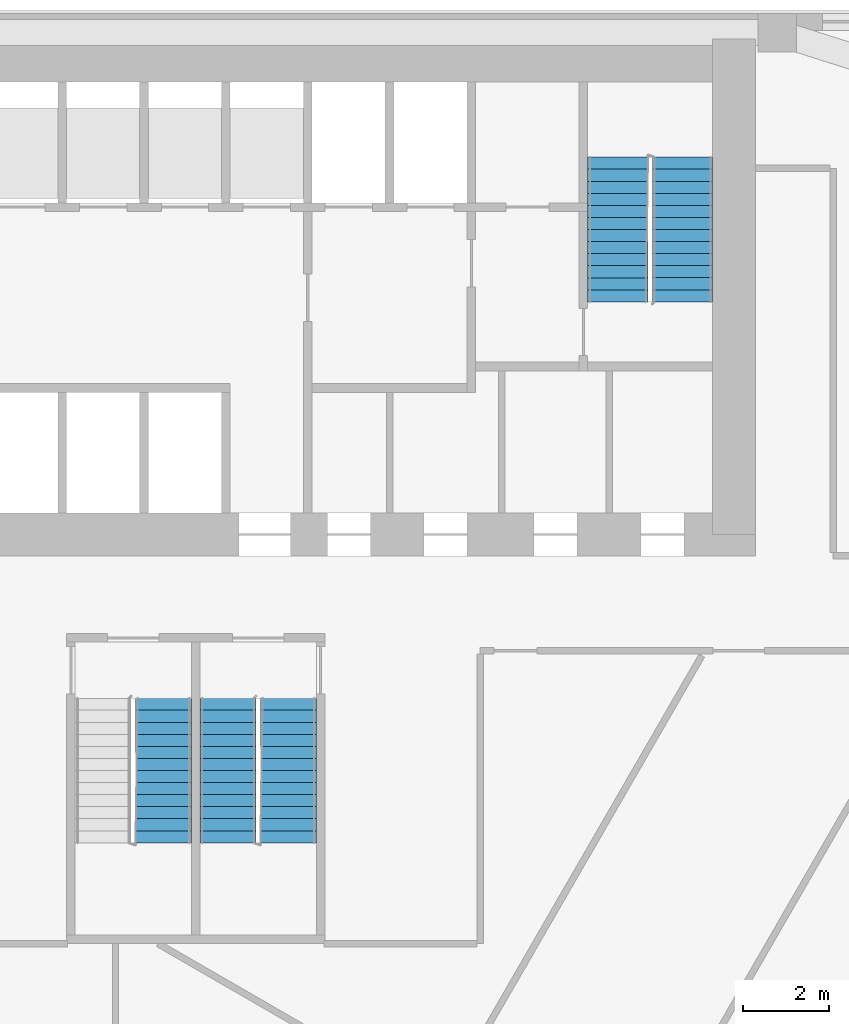
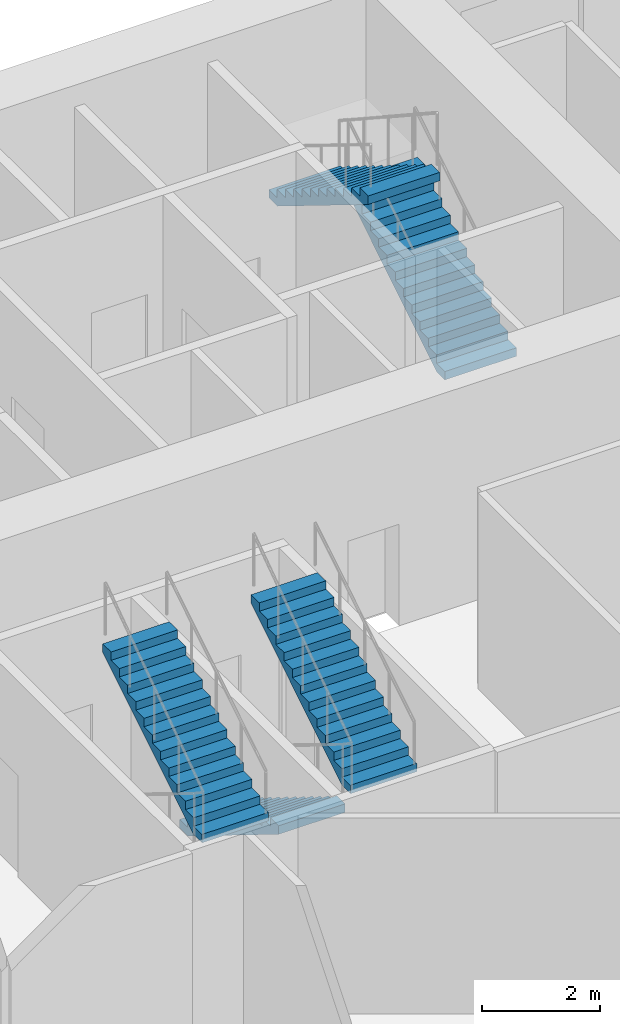
# One storey, part 7 of 9: 5 stair flights, 3 elements without a shape of their own.
"""IFC4 building model written with IfcOpenShell, lengths in metres."""

from ifc_helpers import new_model, si_unit, direction, frame, origin, place, context, subcontext, project, spatial, polyline, outline, extrude, material, type_object, element, aggregate, save


model = new_model("IFC4")

# Units and contexts
model_context = context("Model", 3, precision=1e-05, world=origin(), true_north=direction((0.0, 1.0)))
body_context = subcontext(model_context, "Body", "Model", "MODEL_VIEW")
ifc_project = project(units=[si_unit("LENGTHUNIT", "METRE"), si_unit("AREAUNIT", "SQUARE_METRE"), si_unit("VOLUMEUNIT", "CUBIC_METRE"), si_unit("PLANEANGLEUNIT", "RADIAN"), si_unit("MASSUNIT", "GRAM", prefix="KILO")], contexts=[model_context])

# Site, building, storey
site_placement = place(None, origin())
site = spatial("IfcSite", under=ifc_project, at=site_placement, CompositionType="ELEMENT")
building_placement = place(site_placement, origin())
building = spatial("IfcBuilding", under=site, at=building_placement, Name="Altiplano Prism Tower", CompositionType="ELEMENT")
storey_placement = place(building_placement, frame((0.0, 0.0, 18.0)))
storey = spatial("IfcBuildingStorey", under=building, at=storey_placement, Name="L03", CompositionType="ELEMENT", Elevation=18.0)

# Stair, stair flights
ifc_material = material(Name="Concrete C40/50", Category="concrete")
stair_type_1 = type_object("IfcStairType", Name="Exit stair 1400", PredefinedType="HALF_TURN_STAIR", material=ifc_material)
stair_1_placement = place(storey_placement, origin())
stair_1 = element("IfcStair", 1, at=stair_1_placement, inside=storey, type_object=stair_type_1, Name="L03 Exit Stair 2", PredefinedType="HALF_TURN_STAIR")
stair_flight_type = type_object("IfcStairFlightType", Name="Stair flight concrete 150", PredefinedType="STRAIGHT", material=ifc_material)
stair_flight_1_placement = place(storey_placement, frame((96.300048828125, 98.300048828125, 0.0), z_axis=(0.0, 0.0, 1.0), x_axis=(0.0, 1.0, 0.0)))
stair_flight_1 = element("IfcStairFlight", 2, at=stair_flight_1_placement, type_object=stair_flight_type, Name="ST2 flight 1", NumberOfRisers=13, NumberOfTreads=12, PredefinedType="STRAIGHT", RiserHeight=0.173076923, TreadLength=0.28, context=body_context, shape_type="SweptSolid", body=[
    extrude(outline(polyline([(0.0, 0.0), (0.0, 0.173095703125), (0.280029296875, 0.173095703125), (0.280029296875, 0.34619140625), (0.56005859375, 0.34619140625), (0.56005859375, 0.519287109375), (0.840087890625, 0.519287109375), (0.840087890625, 0.6923828125), (1.1201171875, 0.6923828125), (1.1201171875, 0.865478515625), (1.39990234375, 0.865478515625), (1.39990234375, 1.03857421875), (1.679931640625, 1.03857421875), (1.679931640625, 1.21142578125), (1.9599609375, 1.21142578125), (1.9599609375, 1.384521484375), (2.239990234375, 1.384521484375), (2.239990234375, 1.5576171875), (2.52001953125, 1.5576171875), (2.52001953125, 1.730712890625), (2.800048828125, 1.730712890625), (2.800048828125, 1.90380859375), (3.080078125, 1.90380859375), (3.080078125, 2.076904296875), (3.360107421875, 2.076904296875), (3.360107421875, 2.25), (3.360107421875, 1.900634765625), (0.28515625, 0.0), (0.0, 0.0)])), frame((0.0, 0.699951171875, 0.0), z_axis=(0.0, -1.0, 0.0), x_axis=(1.0, 0.0, 0.0)), (0.0, 0.0, 1.0), 1.39990234375),
])
stair_flight_2_placement = place(storey_placement, frame((94.800048828125, 101.659912109375, 2.25), z_axis=(0.0, 0.0, 1.0), x_axis=(0.0, -1.0, 0.0)))
stair_flight_2 = element("IfcStairFlight", 3, at=stair_flight_2_placement, type_object=stair_flight_type, Name="ST2 flight 2", NumberOfRisers=13, NumberOfTreads=12, PredefinedType="STRAIGHT", RiserHeight=0.173076923, TreadLength=0.28, context=body_context, shape_type="SweptSolid", body=[
    extrude(outline(polyline([(0.0, 0.0), (0.0, 0.173095703125), (0.280029296875, 0.173095703125), (0.280029296875, 0.34619140625), (0.56005859375, 0.34619140625), (0.56005859375, 0.519287109375), (0.840087890625, 0.519287109375), (0.840087890625, 0.6923828125), (1.1201171875, 0.6923828125), (1.1201171875, 0.865478515625), (1.39990234375, 0.865478515625), (1.39990234375, 1.03857421875), (1.679931640625, 1.03857421875), (1.679931640625, 1.21142578125), (1.9599609375, 1.21142578125), (1.9599609375, 1.384521484375), (2.239990234375, 1.384521484375), (2.239990234375, 1.5576171875), (2.52001953125, 1.5576171875), (2.52001953125, 1.730712890625), (2.800048828125, 1.730712890625), (2.800048828125, 1.90380859375), (3.080078125, 1.90380859375), (3.080078125, 2.076904296875), (3.360107421875, 2.076904296875), (3.360107421875, 2.25), (3.360107421875, 1.900634765625), (0.28515625, 0.0), (0.0, 0.0)])), frame((0.0, 0.699951171875, 0.0), z_axis=(0.0, -1.0, 0.0), x_axis=(1.0, 0.0, 0.0)), (0.0, 0.0, 1.0), 1.39990234375),
])
aggregate(stair_1, [stair_flight_1, stair_flight_2])

# Stair, stair flight
stair_type_2 = type_object("IfcStairType", Name="Exit stair 1300", PredefinedType="HALF_TURN_STAIR", material=ifc_material)
stair_2_placement = place(storey_placement, origin())
stair_2 = element("IfcStair", 4, at=stair_2_placement, inside=storey, type_object=stair_type_2, Name="L03 Exit Stair 3A", PredefinedType="HALF_TURN_STAIR")
stair_flight_3_placement = place(storey_placement, frame((84.25, 85.739990234375, 2.25), z_axis=(0.0, 0.0, 1.0), x_axis=(0.0, 1.0, 0.0)))
stair_flight_3 = element("IfcStairFlight", 5, at=stair_flight_3_placement, type_object=stair_flight_type, Name="ST3A flight 2", NumberOfRisers=13, NumberOfTreads=12, PredefinedType="STRAIGHT", RiserHeight=0.173076923, TreadLength=0.28, context=body_context, shape_type="SweptSolid", body=[
    extrude(outline(polyline([(0.0, 0.0), (0.0, 0.173095703125), (0.280029296875, 0.173095703125), (0.280029296875, 0.34619140625), (0.56005859375, 0.34619140625), (0.56005859375, 0.519287109375), (0.840087890625, 0.519287109375), (0.840087890625, 0.6923828125), (1.1201171875, 0.6923828125), (1.1201171875, 0.865478515625), (1.39990234375, 0.865478515625), (1.39990234375, 1.03857421875), (1.679931640625, 1.03857421875), (1.679931640625, 1.21142578125), (1.9599609375, 1.21142578125), (1.9599609375, 1.384521484375), (2.239990234375, 1.384521484375), (2.239990234375, 1.5576171875), (2.52001953125, 1.5576171875), (2.52001953125, 1.730712890625), (2.800048828125, 1.730712890625), (2.800048828125, 1.90380859375), (3.080078125, 1.90380859375), (3.080078125, 2.076904296875), (3.360107421875, 2.076904296875), (3.360107421875, 2.25), (3.360107421875, 1.900634765625), (0.28515625, 0.0), (0.0, 0.0)])), frame((0.0, 0.64990234375, 0.0), z_axis=(0.0, -1.0, 0.0), x_axis=(1.0, 0.0, 0.0)), (0.0, 0.0, 1.0), 1.300048828125),
])
aggregate(stair_2, [stair_flight_3])

# Stair, stair flights
stair_3_placement = place(storey_placement, origin())
stair_3 = element("IfcStair", 6, at=stair_3_placement, inside=storey, type_object=stair_type_2, Name="L03 Exit Stair 3B", PredefinedType="HALF_TURN_STAIR")
stair_flight_4_placement = place(storey_placement, frame((85.75, 89.10009765625, 0.0), z_axis=(0.0, 0.0, 1.0), x_axis=(0.0, -1.0, 0.0)))
stair_flight_4 = element("IfcStairFlight", 7, at=stair_flight_4_placement, type_object=stair_flight_type, Name="ST3B flight 1", NumberOfRisers=13, NumberOfTreads=12, PredefinedType="STRAIGHT", RiserHeight=0.173076923, TreadLength=0.28, context=body_context, shape_type="SweptSolid", body=[
    extrude(outline(polyline([(0.0, 0.0), (0.0, 0.173095703125), (0.280029296875, 0.173095703125), (0.280029296875, 0.34619140625), (0.56005859375, 0.34619140625), (0.56005859375, 0.519287109375), (0.840087890625, 0.519287109375), (0.840087890625, 0.6923828125), (1.1201171875, 0.6923828125), (1.1201171875, 0.865478515625), (1.39990234375, 0.865478515625), (1.39990234375, 1.03857421875), (1.679931640625, 1.03857421875), (1.679931640625, 1.21142578125), (1.9599609375, 1.21142578125), (1.9599609375, 1.384521484375), (2.239990234375, 1.384521484375), (2.239990234375, 1.5576171875), (2.52001953125, 1.5576171875), (2.52001953125, 1.730712890625), (2.800048828125, 1.730712890625), (2.800048828125, 1.90380859375), (3.080078125, 1.90380859375), (3.080078125, 2.076904296875), (3.360107421875, 2.076904296875), (3.360107421875, 2.25), (3.360107421875, 1.900634765625), (0.28515625, 0.0), (0.0, 0.0)])), frame((0.0, 0.64990234375, 0.0), z_axis=(0.0, -1.0, 0.0), x_axis=(1.0, 0.0, 0.0)), (0.0, 0.0, 1.0), 1.300048828125),
])
stair_flight_5_placement = place(storey_placement, frame((87.14990234375, 85.739990234375, 2.25), z_axis=(0.0, 0.0, 1.0), x_axis=(0.0, 1.0, 0.0)))
stair_flight_5 = element("IfcStairFlight", 8, at=stair_flight_5_placement, type_object=stair_flight_type, Name="ST3B flight 2", NumberOfRisers=13, NumberOfTreads=12, PredefinedType="STRAIGHT", RiserHeight=0.173076923, TreadLength=0.28, context=body_context, shape_type="SweptSolid", body=[
    extrude(outline(polyline([(0.0, 0.0), (0.0, 0.173095703125), (0.280029296875, 0.173095703125), (0.280029296875, 0.34619140625), (0.56005859375, 0.34619140625), (0.56005859375, 0.519287109375), (0.840087890625, 0.519287109375), (0.840087890625, 0.6923828125), (1.1201171875, 0.6923828125), (1.1201171875, 0.865478515625), (1.39990234375, 0.865478515625), (1.39990234375, 1.03857421875), (1.679931640625, 1.03857421875), (1.679931640625, 1.21142578125), (1.9599609375, 1.21142578125), (1.9599609375, 1.384521484375), (2.239990234375, 1.384521484375), (2.239990234375, 1.5576171875), (2.52001953125, 1.5576171875), (2.52001953125, 1.730712890625), (2.800048828125, 1.730712890625), (2.800048828125, 1.90380859375), (3.080078125, 1.90380859375), (3.080078125, 2.076904296875), (3.360107421875, 2.076904296875), (3.360107421875, 2.25), (3.360107421875, 1.900634765625), (0.28515625, 0.0), (0.0, 0.0)])), frame((0.0, 0.64990234375, 0.0), z_axis=(0.0, -1.0, 0.0), x_axis=(1.0, 0.0, 0.0)), (0.0, 0.0, 1.0), 1.300048828125),
])
aggregate(stair_3, [stair_flight_4, stair_flight_5])

save(model, "model.ifc")
